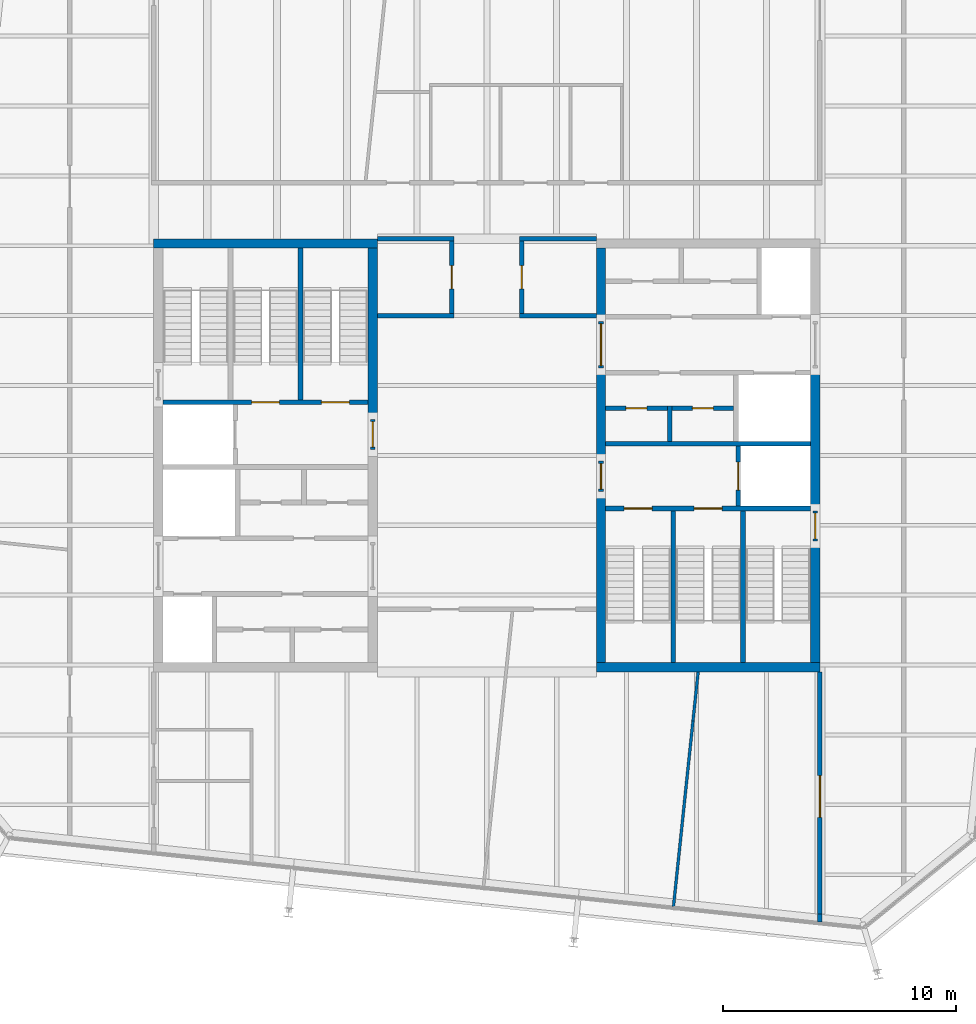
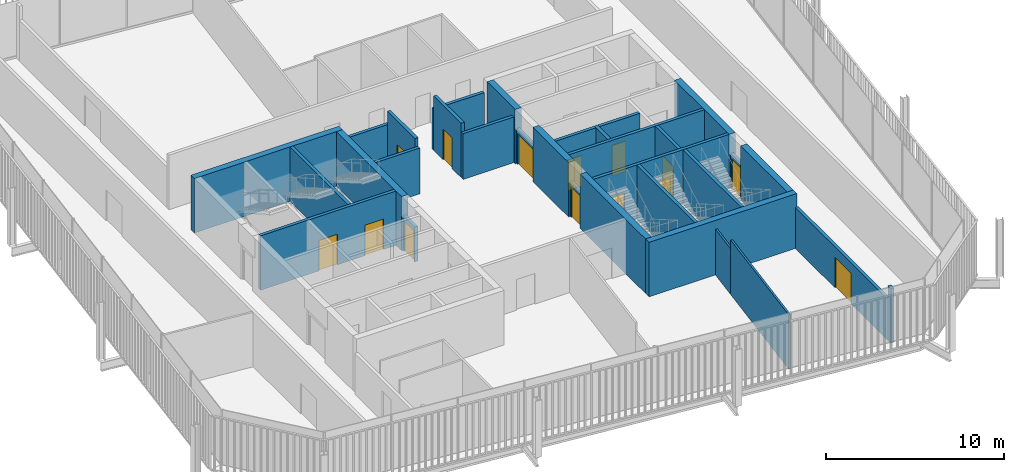
# One storey, part 17 of 20: 31 walls, 14 doors, 14 openings.
"""IFC4 building model written with IfcOpenShell, lengths in metres."""

from ifc_helpers import new_model, si_unit, direction, frame, frame_2d, origin, place, context, subcontext, project, spatial, rectangle, extrude, material, layer, layer_set, type_object, element, fill, save


model = new_model("IFC4")

# Units and contexts
model_context = context("Model", 3, precision=1e-05, world=origin(), true_north=direction((0.0, 1.0)))
body_context = subcontext(model_context, "Body", "Model", "MODEL_VIEW")
ifc_project = project(units=[si_unit("LENGTHUNIT", "METRE"), si_unit("AREAUNIT", "SQUARE_METRE"), si_unit("VOLUMEUNIT", "CUBIC_METRE"), si_unit("PLANEANGLEUNIT", "RADIAN"), si_unit("MASSUNIT", "GRAM", prefix="KILO")], contexts=[model_context])

# Site, building, storey
site_placement = place(None, origin())
site = spatial("IfcSite", under=ifc_project, at=site_placement, CompositionType="ELEMENT")
building_placement = place(site_placement, origin())
building = spatial("IfcBuilding", under=site, at=building_placement, Name="Millrace Tower", CompositionType="ELEMENT")
storey_placement = place(building_placement, frame((0.0, 0.0, 322.60009765625)))
storey = spatial("IfcBuildingStorey", under=building, at=storey_placement, Name="L74", CompositionType="ELEMENT", Elevation=322.60009765625)

# Walls
ifc_material_1 = material(Name="Concrete C60", Category="concrete")
ifc_layer_1 = layer(ifc_material_1, 0.39990234375)
ifc_layer_set_1 = layer_set([ifc_layer_1], Name="Concrete C60")
wall_type_1 = type_object("IfcWallType", Name="Core wall 400 Concrete C60", PredefinedType="SHEAR", material=ifc_layer_set_1)
wall_1_placement = place(storey_placement, frame((-14.300048828125, 9.10009765625, 0.0), z_axis=(0.0, 0.0, 1.0), x_axis=(1.0, 0.0, 0.0)))
element("IfcWall", 1, at=wall_1_placement, inside=storey, type_object=wall_type_1, Name="Core wall W L74", PredefinedType="SHEAR", context=body_context, shape_type="SweptSolid", body=[
    extrude(rectangle(XDim=9.60009765625, YDim=0.39990234375, at=frame_2d((4.800048828125, 0.0))), origin(), (0.0, 0.0, 1.0), 3.739990234375),
])
wall_2_placement = place(storey_placement, frame((-4.89990234375, 1.550048828125, 0.0), z_axis=(0.0, 0.0, 1.0), x_axis=(0.0, 1.0, 0.0)))
element("IfcWall", 2, at=wall_2_placement, inside=storey, type_object=wall_type_1, Name="Core wall W L74", PredefinedType="SHEAR", context=body_context, shape_type="SweptSolid", body=[
    extrude(rectangle(XDim=7.349853515625, YDim=0.39990234375, at=frame_2d((3.6748046875, 0.0))), origin(), (0.0, 0.0, 1.0), 3.739990234375),
])
wall_3_placement = place(storey_placement, frame((14.300048828125, -9.10009765625, 0.0), z_axis=(0.0, 0.0, 1.0), x_axis=(-1.0, 0.0, 0.0)))
element("IfcWall", 3, at=wall_3_placement, inside=storey, type_object=wall_type_1, Name="Core wall E L74", PredefinedType="SHEAR", context=body_context, shape_type="SweptSolid", body=[
    extrude(rectangle(XDim=9.60009765625, YDim=0.39990234375, at=frame_2d((4.800048828125, 0.0))), origin(), (0.0, 0.0, 1.0), 3.739990234375),
])
wall_4_placement = place(storey_placement, frame((14.10009765625, 3.75, 0.0), z_axis=(0.0, 0.0, 1.0), x_axis=(0.0, -1.0, 0.0)))
element("IfcWall", 4, at=wall_4_placement, inside=storey, type_object=wall_type_1, Name="Core wall E L74", PredefinedType="SHEAR", context=body_context, shape_type="SweptSolid", body=[
    extrude(rectangle(XDim=6.1298828125, YDim=0.39990234375, at=frame_2d((3.06494140625, 0.0))), origin(), (0.0, 0.0, 1.0), 3.739990234375),
])
wall_5_placement = place(storey_placement, frame((14.10009765625, -3.679931640625, 0.0), z_axis=(0.0, 0.0, 1.0), x_axis=(0.0, -1.0, 0.0)))
element("IfcWall", 5, at=wall_5_placement, inside=storey, type_object=wall_type_1, Name="Core wall E L74", PredefinedType="SHEAR", context=body_context, shape_type="SweptSolid", body=[
    extrude(rectangle(XDim=5.219970703125, YDim=0.39990234375, at=frame_2d((2.60986328125, 0.0))), origin(), (0.0, 0.0, 1.0), 3.739990234375),
])
wall_6_placement = place(storey_placement, frame((4.89990234375, 8.89990234375, 0.0), z_axis=(0.0, 0.0, 1.0), x_axis=(0.0, -1.0, 0.0)))
element("IfcWall", 6, at=wall_6_placement, inside=storey, type_object=wall_type_1, Name="Core wall E L74", PredefinedType="SHEAR", context=body_context, shape_type="SweptSolid", body=[
    extrude(rectangle(XDim=3.14990234375, YDim=0.39990234375, at=frame_2d((1.574951171875, 0.0))), origin(), (0.0, 0.0, 1.0), 3.739990234375),
])
wall_7_placement = place(storey_placement, frame((4.89990234375, 3.75, 0.0), z_axis=(0.0, 0.0, 1.0), x_axis=(0.0, -1.0, 0.0)))
element("IfcWall", 7, at=wall_7_placement, inside=storey, type_object=wall_type_1, Name="Core wall E L74", PredefinedType="SHEAR", context=body_context, shape_type="SweptSolid", body=[
    extrude(rectangle(XDim=4.0, YDim=0.39990234375, at=frame_2d((2.0, 0.0))), origin(), (0.0, 0.0, 1.0), 3.739990234375),
])
wall_8_placement = place(storey_placement, frame((4.89990234375, -1.550048828125, 0.0), z_axis=(0.0, 0.0, 1.0), x_axis=(0.0, -1.0, 0.0)))
element("IfcWall", 8, at=wall_8_placement, inside=storey, type_object=wall_type_1, Name="Core wall E L74", PredefinedType="SHEAR", context=body_context, shape_type="SweptSolid", body=[
    extrude(rectangle(XDim=7.349853515625, YDim=0.39990234375, at=frame_2d((3.6748046875, 0.0))), origin(), (0.0, 0.0, 1.0), 3.739990234375),
])
ifc_material_2 = material(Name="Masonry partition, fire-rated", Category="masonry")
ifc_layer_2 = layer(ifc_material_2, 0.199951171875)
ifc_layer_set_2 = layer_set([ifc_layer_2], Name="Masonry partition, fire-rated")
wall_type_2 = type_object("IfcWallType", Name="Corridor wall 200", PredefinedType="PARTITIONING", material=ifc_layer_set_2)
for number, where, z_axis, x_axis, name in (
    (9, (-4.699951171875, 6.0, 0.0), (0.0, 0.0, 1.0), (1.0, 0.0, 0.0), "Corridor wall L74"),
    (10, (1.39990234375, 6.0, 0.0), (0.0, 0.0, 1.0), (1.0, 0.0, 0.0), "Corridor wall L74"),
):
    element("IfcWall", number, at=place(storey_placement, frame(where, z_axis=z_axis, x_axis=x_axis)), inside=storey, type_object=wall_type_2, Name=name, PredefinedType="PARTITIONING", context=body_context, shape_type="SweptSolid", body=[
        extrude(rectangle(XDim=3.300048828125, YDim=0.199951171875, at=frame_2d((1.64990234375, 0.0))), origin(), (0.0, 0.0, 1.0), 3.140380859375),
    ])
for number, where, z_axis, x_axis, name in (
    (11, (-4.699951171875, 9.300048828125, 0.0), (0.0, 0.0, 1.0), (1.0, 0.0, 0.0), "Corridor wall L74"),
    (12, (1.39990234375, 9.300048828125, 0.0), (0.0, 0.0, 1.0), (1.0, 0.0, 0.0), "Corridor wall L74"),
):
    element("IfcWall", number, at=place(storey_placement, frame(where, z_axis=z_axis, x_axis=x_axis)), inside=storey, type_object=wall_type_2, Name=name, PredefinedType="PARTITIONING", context=body_context, shape_type="SweptSolid", body=[
        extrude(rectangle(XDim=3.300048828125, YDim=0.199951171875, at=frame_2d((1.64990234375, 0.0))), origin(), (0.0, 0.0, 1.0), 2.812744140625),
    ])
wall_9_placement = place(storey_placement, frame((14.300048828125, -20.037353515625, 0.0), z_axis=(0.0, 0.0, 1.0), x_axis=(0.0, 1.0, 0.0)))
element("IfcWall", 13, at=wall_9_placement, inside=storey, type_object=wall_type_2, Name="Corridor wall L74", PredefinedType="PARTITIONING", context=body_context, shape_type="SweptSolid", body=[
    extrude(rectangle(XDim=0.339111328125, YDim=0.199951171875, at=frame_2d((0.16943359375, 0.0))), origin(), (0.0, 0.0, 1.0), 3.739990234375),
])

# Wall, opening, door
wall_10_placement = place(storey_placement, frame((14.300048828125, -19.6982421875, 0.0), z_axis=(0.0, 0.0, 1.0), x_axis=(0.0, 1.0, 0.0)))
wall_10 = element("IfcWall", 14, at=wall_10_placement, inside=storey, type_object=wall_type_2, Name="Corridor wall L74", PredefinedType="PARTITIONING", context=body_context, shape_type="SweptSolid", body=[
    extrude(rectangle(XDim=10.398193359375, YDim=0.199951171875, at=frame_2d((5.19921875, 0.0))), origin(), (0.0, 0.0, 1.0), 2.812744140625),
])
opening_1_placement = place(wall_10_placement, frame((4.15478515625, 0.0, 0.0)))
opening_1 = element("IfcOpeningElement", 15, at=opening_1_placement, cuts=wall_10, Name="Opening 74-P013", PredefinedType="OPENING", context=body_context, shape_type="SweptSolid", body=[
    extrude(rectangle(XDim=1.800048828125, YDim=2.10009765625, at=frame_2d((0.89990234375, 1.050048828125))), frame((0.0, 0.10986328125, 0.0), z_axis=(0.0, -1.0, 0.0), x_axis=(1.0, 0.0, 0.0)), (0.0, 0.0, 1.0), 0.219970703125),
])
ifc_material_3 = material(Name="Steel door set, fire-rated", Category="steel")
door_type_1 = type_object("IfcDoorType", Name="Corridor door 1800 x 2100", OperationType="DOUBLE_DOOR_SINGLE_SWING", PredefinedType="DOOR", material=ifc_material_3)
door_1_placement = place(opening_1_placement, origin())
door_1 = element("IfcDoor", 16, at=door_1_placement, inside=storey, type_object=door_type_1, Name="Door 74-P013", OperationType="DOUBLE_DOOR_SINGLE_SWING", OverallHeight=2.10009765625, OverallWidth=1.800048828125, PredefinedType="DOOR", context=body_context, shape_type="SweptSolid", body=[
    extrude(rectangle(XDim=1.800048828125, YDim=2.10009765625, at=frame_2d((0.89990234375, 1.050048828125))), frame((0.0, 0.02490234375, 0.0), z_axis=(0.0, -1.0, 0.0), x_axis=(1.0, 0.0, 0.0)), (0.0, 0.0, 1.0), 0.050048828125),
])
fill(opening_1, door_1)

wall_11_placement = place(storey_placement, frame((1.5, 6.10009765625, 0.0), z_axis=(0.0, 0.0, 1.0), x_axis=(0.0, 1.0, 0.0)))
wall_11 = element("IfcWall", 17, at=wall_11_placement, inside=storey, type_object=wall_type_2, Name="Corridor wall L74", PredefinedType="PARTITIONING", context=body_context, shape_type="SweptSolid", body=[
    extrude(rectangle(XDim=3.099853515625, YDim=0.199951171875, at=frame_2d((1.5498046875, 0.0))), origin(), (0.0, 0.0, 1.0), 3.739990234375),
])
opening_2_placement = place(wall_11_placement, frame((1.050048828125, 0.0, 0.0)))
opening_2 = element("IfcOpeningElement", 18, at=opening_2_placement, cuts=wall_11, Name="Opening 74-P002", PredefinedType="OPENING", context=body_context, shape_type="SweptSolid", body=[
    extrude(rectangle(XDim=1.0, YDim=2.10009765625, at=frame_2d((0.5, 1.050048828125))), frame((0.0, 0.10986328125, 0.0), z_axis=(0.0, -1.0, 0.0), x_axis=(1.0, 0.0, 0.0)), (0.0, 0.0, 1.0), 0.219970703125),
])
ifc_material_4 = material(Name="Steel door set, fire-rated", Category="steel")
door_type_2 = type_object("IfcDoorType", Name="Corridor door 1000 x 2100", OperationType="SINGLE_SWING_LEFT", PredefinedType="DOOR", material=ifc_material_4)
door_2_placement = place(opening_2_placement, frame((1.0, 0.0, 0.0), z_axis=(0.0, 0.0, 1.0), x_axis=(-1.0, 0.0, 0.0)))
door_2 = element("IfcDoor", 19, at=door_2_placement, inside=storey, type_object=door_type_2, Name="Door 74-P002", OperationType="SINGLE_SWING_LEFT", OverallHeight=2.10009765625, OverallWidth=1.0, PredefinedType="DOOR", context=body_context, shape_type="SweptSolid", body=[
    extrude(rectangle(XDim=1.0, YDim=2.10009765625, at=frame_2d((0.5, 1.050048828125))), frame((0.0, 0.02490234375, 0.0), z_axis=(0.0, -1.0, 0.0), x_axis=(1.0, 0.0, 0.0)), (0.0, 0.0, 1.0), 0.050048828125),
])
fill(opening_2, door_2)

wall_12_placement = place(storey_placement, frame((-1.5, 6.10009765625, 0.0), z_axis=(0.0, 0.0, 1.0), x_axis=(0.0, 1.0, 0.0)))
wall_12 = element("IfcWall", 20, at=wall_12_placement, inside=storey, type_object=wall_type_2, Name="Corridor wall L74", PredefinedType="PARTITIONING", context=body_context, shape_type="SweptSolid", body=[
    extrude(rectangle(XDim=3.099853515625, YDim=0.199951171875, at=frame_2d((1.5498046875, 0.0))), origin(), (0.0, 0.0, 1.0), 3.739990234375),
])
opening_3_placement = place(wall_12_placement, frame((1.050048828125, 0.0, 0.0)))
opening_3 = element("IfcOpeningElement", 21, at=opening_3_placement, cuts=wall_12, Name="Opening 74-P001", PredefinedType="OPENING", context=body_context, shape_type="SweptSolid", body=[
    extrude(rectangle(XDim=1.0, YDim=2.10009765625, at=frame_2d((0.5, 1.050048828125))), frame((0.0, 0.10986328125, 0.0), z_axis=(0.0, -1.0, 0.0), x_axis=(1.0, 0.0, 0.0)), (0.0, 0.0, 1.0), 0.219970703125),
])
door_3_placement = place(opening_3_placement, origin())
door_3 = element("IfcDoor", 22, at=door_3_placement, inside=storey, type_object=door_type_2, Name="Door 74-P001", OperationType="SINGLE_SWING_RIGHT", OverallHeight=2.10009765625, OverallWidth=1.0, PredefinedType="DOOR", context=body_context, shape_type="SweptSolid", body=[
    extrude(rectangle(XDim=1.0, YDim=2.10009765625, at=frame_2d((0.5, 1.050048828125))), frame((0.0, 0.02490234375, 0.0), z_axis=(0.0, -1.0, 0.0), x_axis=(1.0, 0.0, 0.0)), (0.0, 0.0, 1.0), 0.050048828125),
])
fill(opening_3, door_3)

# Wall
ifc_material_5 = material(Name="Masonry partition, fire-rated", Category="masonry")
ifc_layer_3 = layer(ifc_material_5, 0.199951171875)
ifc_layer_set_3 = layer_set([ifc_layer_3], Name="Masonry partition, fire-rated")
wall_type_3 = type_object("IfcWallType", Name="Lift shaft wall 200", PredefinedType="PARTITIONING", material=ifc_layer_set_3)
wall_13_placement = place(storey_placement, frame((13.89990234375, 0.5, 0.0), z_axis=(0.0, 0.0, 1.0), x_axis=(-1.0, 0.0, 0.0)))
element("IfcWall", 23, at=wall_13_placement, inside=storey, type_object=wall_type_3, Name="Lift shaft wall E L74", PredefinedType="PARTITIONING", context=body_context, shape_type="SweptSolid", body=[
    extrude(rectangle(XDim=8.7998046875, YDim=0.199951171875, at=frame_2d((4.39990234375, 0.0))), origin(), (0.0, 0.0, 1.0), 3.739990234375),
])

# Wall, opening, door
wall_14_placement = place(storey_placement, frame((10.800048828125, 0.39990234375, 0.0), z_axis=(0.0, 0.0, 1.0), x_axis=(0.0, -1.0, 0.0)))
wall_14 = element("IfcWall", 24, at=wall_14_placement, inside=storey, type_object=wall_type_3, Name="Lift shaft wall E L74", PredefinedType="PARTITIONING", context=body_context, shape_type="SweptSolid", body=[
    extrude(rectangle(XDim=2.579833984375, YDim=0.199951171875, at=frame_2d((1.2900390625, 0.0))), origin(), (0.0, 0.0, 1.0), 3.739990234375),
])
opening_4_placement = place(wall_14_placement, frame((0.68994140625, 0.0, 0.0)))
opening_4 = element("IfcOpeningElement", 25, at=opening_4_placement, cuts=wall_14, Name="Opening 74-LD16", PredefinedType="OPENING", context=body_context, shape_type="SweptSolid", body=[
    extrude(rectangle(XDim=1.199951171875, YDim=2.10009765625, at=frame_2d((0.60009765625, 1.050048828125))), frame((0.0, 0.10986328125, 0.0), z_axis=(0.0, -1.0, 0.0), x_axis=(1.0, 0.0, 0.0)), (0.0, 0.0, 1.0), 0.219970703125),
])
ifc_material_6 = material(Name="Stainless steel, fire-rated", Category="steel")
door_type_3 = type_object("IfcDoorType", Name="Lift landing door 1200 x 2100", OperationType="DOUBLE_DOOR_SLIDING", PredefinedType="DOOR", material=ifc_material_6)
door_4_placement = place(opening_4_placement, origin())
door_4 = element("IfcDoor", 26, at=door_4_placement, inside=storey, type_object=door_type_3, Name="Lift landing door LF16 L74", OperationType="DOUBLE_DOOR_SLIDING", OverallHeight=2.10009765625, OverallWidth=1.199951171875, PredefinedType="DOOR", context=body_context, shape_type="SweptSolid", body=[
    extrude(rectangle(XDim=1.199951171875, YDim=2.10009765625, at=frame_2d((0.60009765625, 1.050048828125))), frame((0.0, 0.02490234375, 0.0), z_axis=(0.0, -1.0, 0.0), x_axis=(1.0, 0.0, 0.0)), (0.0, 0.0, 1.0), 0.050048828125),
])
fill(opening_4, door_4)

ifc_material_7 = material(Name="Masonry partition, fire-rated", Category="masonry")
ifc_layer_4 = layer(ifc_material_7, 0.199951171875)
ifc_layer_set_4 = layer_set([ifc_layer_4], Name="Masonry partition, fire-rated")
wall_type_4 = type_object("IfcWallType", Name="Lobby wall 200", PredefinedType="PARTITIONING", material=ifc_layer_set_4)
wall_15_placement = place(storey_placement, frame((-4.89990234375, 0.25, 0.0), z_axis=(0.0, 0.0, 1.0), x_axis=(0.0, 1.0, 0.0)))
wall_15 = element("IfcWall", 27, at=wall_15_placement, inside=storey, type_object=wall_type_4, Name="Lobby wall W L74", PredefinedType="PARTITIONING", context=body_context, shape_type="SweptSolid", body=[
    extrude(rectangle(XDim=1.300048828125, YDim=0.199951171875, at=frame_2d((0.64990234375, 0.0))), origin(), (0.0, 0.0, 1.0), 2.39990234375),
])
opening_5_placement = place(wall_15_placement, frame((0.10009765625, 0.0, 0.0)))
opening_5 = element("IfcOpeningElement", 28, at=opening_5_placement, cuts=wall_15, Name="Opening 74-C004", PredefinedType="OPENING", context=body_context, shape_type="SweptSolid", body=[
    extrude(rectangle(XDim=1.10009765625, YDim=2.10009765625, at=frame_2d((0.550048828125, 1.050048828125))), frame((0.0, 0.10986328125, 0.0), z_axis=(0.0, -1.0, 0.0), x_axis=(1.0, 0.0, 0.0)), (0.0, 0.0, 1.0), 0.219970703125),
])
ifc_material_8 = material(Name="Steel door, fire-rated", Category="steel")
door_type_4 = type_object("IfcDoorType", Name="Lobby door 1100 x 2100", OperationType="SINGLE_SWING_LEFT", PredefinedType="DOOR", material=ifc_material_8)
door_5_placement = place(opening_5_placement, frame((1.10009765625, 0.0, 0.0), z_axis=(0.0, 0.0, 1.0), x_axis=(-1.0, 0.0, 0.0)))
door_5 = element("IfcDoor", 29, at=door_5_placement, inside=storey, type_object=door_type_4, Name="Lobby door 74-C004", OperationType="SINGLE_SWING_RIGHT", OverallHeight=2.10009765625, OverallWidth=1.10009765625, PredefinedType="DOOR", context=body_context, shape_type="SweptSolid", body=[
    extrude(rectangle(XDim=1.10009765625, YDim=2.10009765625, at=frame_2d((0.550048828125, 1.050048828125))), frame((0.0, 0.02490234375, 0.0), z_axis=(0.0, -1.0, 0.0), x_axis=(1.0, 0.0, 0.0)), (0.0, 0.0, 1.0), 0.050048828125),
])
fill(opening_5, door_5)

wall_16_placement = place(storey_placement, frame((4.89990234375, 5.75, 0.0), z_axis=(0.0, 0.0, 1.0), x_axis=(0.0, -1.0, 0.0)))
wall_16 = element("IfcWall", 30, at=wall_16_placement, inside=storey, type_object=wall_type_4, Name="Lobby wall E L74", PredefinedType="PARTITIONING", context=body_context, shape_type="SweptSolid", body=[
    extrude(rectangle(XDim=2.0, YDim=0.199951171875, at=frame_2d((1.0, 0.0))), origin(), (0.0, 0.0, 1.0), 2.39990234375),
])
opening_6_placement = place(wall_16_placement, frame((0.10009765625, 0.0, 0.0)))
opening_6 = element("IfcOpeningElement", 31, at=opening_6_placement, cuts=wall_16, Name="Opening 74-C015", PredefinedType="OPENING", context=body_context, shape_type="SweptSolid", body=[
    extrude(rectangle(XDim=1.800048828125, YDim=2.10009765625, at=frame_2d((0.89990234375, 1.050048828125))), frame((0.0, 0.10986328125, 0.0), z_axis=(0.0, -1.0, 0.0), x_axis=(1.0, 0.0, 0.0)), (0.0, 0.0, 1.0), 0.219970703125),
])
ifc_material_9 = material(Name="Steel door, fire-rated", Category="steel")
door_type_5 = type_object("IfcDoorType", Name="Lobby door 1800 x 2100", OperationType="DOUBLE_DOOR_SINGLE_SWING", PredefinedType="DOOR", material=ifc_material_9)
door_6_placement = place(opening_6_placement, frame((1.800048828125, 0.0, 0.0), z_axis=(0.0, 0.0, 1.0), x_axis=(-1.0, 0.0, 0.0)))
door_6 = element("IfcDoor", 32, at=door_6_placement, inside=storey, type_object=door_type_5, Name="Lobby door 74-C015", OperationType="DOUBLE_DOOR_SINGLE_SWING", OverallHeight=2.10009765625, OverallWidth=1.800048828125, PredefinedType="DOOR", context=body_context, shape_type="SweptSolid", body=[
    extrude(rectangle(XDim=1.800048828125, YDim=2.10009765625, at=frame_2d((0.89990234375, 1.050048828125))), frame((0.0, 0.02490234375, 0.0), z_axis=(0.0, -1.0, 0.0), x_axis=(1.0, 0.0, 0.0)), (0.0, 0.0, 1.0), 0.050048828125),
])
fill(opening_6, door_6)

wall_17_placement = place(storey_placement, frame((4.89990234375, -0.25, 0.0), z_axis=(0.0, 0.0, 1.0), x_axis=(0.0, -1.0, 0.0)))
wall_17 = element("IfcWall", 33, at=wall_17_placement, inside=storey, type_object=wall_type_4, Name="Lobby wall E L74", PredefinedType="PARTITIONING", context=body_context, shape_type="SweptSolid", body=[
    extrude(rectangle(XDim=1.300048828125, YDim=0.199951171875, at=frame_2d((0.64990234375, 0.0))), origin(), (0.0, 0.0, 1.0), 2.39990234375),
])
opening_7_placement = place(wall_17_placement, frame((0.10009765625, 0.0, 0.0)))
opening_7 = element("IfcOpeningElement", 34, at=opening_7_placement, cuts=wall_17, Name="Opening 74-C016", PredefinedType="OPENING", context=body_context, shape_type="SweptSolid", body=[
    extrude(rectangle(XDim=1.10009765625, YDim=2.10009765625, at=frame_2d((0.550048828125, 1.050048828125))), frame((0.0, 0.10986328125, 0.0), z_axis=(0.0, -1.0, 0.0), x_axis=(1.0, 0.0, 0.0)), (0.0, 0.0, 1.0), 0.219970703125),
])
door_7_placement = place(opening_7_placement, frame((1.10009765625, 0.0, 0.0), z_axis=(0.0, 0.0, 1.0), x_axis=(-1.0, 0.0, 0.0)))
door_7 = element("IfcDoor", 35, at=door_7_placement, inside=storey, type_object=door_type_4, Name="Lobby door 74-C016", OperationType="SINGLE_SWING_LEFT", OverallHeight=2.10009765625, OverallWidth=1.10009765625, PredefinedType="DOOR", context=body_context, shape_type="SweptSolid", body=[
    extrude(rectangle(XDim=1.10009765625, YDim=2.10009765625, at=frame_2d((0.550048828125, 1.050048828125))), frame((0.0, 0.02490234375, 0.0), z_axis=(0.0, -1.0, 0.0), x_axis=(1.0, 0.0, 0.0)), (0.0, 0.0, 1.0), 0.050048828125),
])
fill(opening_7, door_7)

# Walls
ifc_material_10 = material(Name="Gypsum board partition")
ifc_layer_5 = layer(ifc_material_10, 0.1201171875)
ifc_layer_set_5 = layer_set([ifc_layer_5], Name="Gypsum board partition")
wall_type_5 = type_object("IfcWallType", Name="Partition wall 120", PredefinedType="PARTITIONING", material=ifc_layer_set_5)
wall_18_placement = place(storey_placement, frame((8.0126953125, -19.376708984375, 0.0), z_axis=(0.0, 0.0, 1.0), x_axis=(0.104553276341, 0.994519287096, 0.0)))
element("IfcWall", 36, at=wall_18_placement, inside=storey, type_object=wall_type_5, Name="Partition wall L74", PredefinedType="PARTITIONING", context=body_context, shape_type="SweptSolid", body=[
    extrude(rectangle(XDim=8.02099609375, YDim=0.1201171875, at=frame_2d((4.010498046875, 0.0))), origin(), (0.0, 0.0, 1.0), 3.739990234375),
])
wall_19_placement = place(storey_placement, frame((8.851318359375, -11.399658203125, 0.0), z_axis=(0.0, 0.0, 1.0), x_axis=(0.1045403102, 0.994520650134, 0.0)))
element("IfcWall", 37, at=wall_19_placement, inside=storey, type_object=wall_type_5, Name="Partition wall L74", PredefinedType="PARTITIONING", context=body_context, shape_type="SweptSolid", body=[
    extrude(rectangle(XDim=2.111083984375, YDim=0.1201171875, at=frame_2d((1.0556640625, 0.0))), origin(), (0.0, 0.0, 1.0), 3.140380859375),
])

# Wall, openings, doors
ifc_material_11 = material(Name="Masonry partition, fire-rated", Category="masonry")
ifc_layer_6 = layer(ifc_material_11, 0.199951171875)
ifc_layer_set_6 = layer_set([ifc_layer_6], Name="Masonry partition, fire-rated")
wall_type_6 = type_object("IfcWallType", Name="Room partition 200", PredefinedType="PARTITIONING", material=ifc_layer_set_6)
wall_20_placement = place(storey_placement, frame((10.60009765625, 2.02490234375, 0.0), z_axis=(0.0, 0.0, 1.0), x_axis=(-1.0, 0.0, 0.0)))
wall_20 = element("IfcWall", 38, at=wall_20_placement, inside=storey, type_object=wall_type_6, Name="Room partition E L74", PredefinedType="PARTITIONING", context=body_context, shape_type="SweptSolid", body=[
    extrude(rectangle(XDim=5.5, YDim=0.199951171875, at=frame_2d((2.75, 0.0))), origin(), (0.0, 0.0, 1.0), 3.739990234375),
])
opening_8_placement = place(wall_20_placement, frame((0.875, 0.0, 0.0)))
opening_8 = element("IfcOpeningElement", 39, at=opening_8_placement, cuts=wall_20, Name="Opening 74-C021", PredefinedType="OPENING", context=body_context, shape_type="SweptSolid", body=[
    extrude(rectangle(XDim=0.89990234375, YDim=2.10009765625, at=frame_2d((0.449951171875, 1.050048828125))), frame((0.0, 0.10986328125, 0.0), z_axis=(0.0, -1.0, 0.0), x_axis=(1.0, 0.0, 0.0)), (0.0, 0.0, 1.0), 0.219970703125),
])
opening_9_placement = place(wall_20_placement, frame((3.72509765625, 0.0, 0.0)))
opening_9 = element("IfcOpeningElement", 40, at=opening_9_placement, cuts=wall_20, Name="Opening 74-C022", PredefinedType="OPENING", context=body_context, shape_type="SweptSolid", body=[
    extrude(rectangle(XDim=0.89990234375, YDim=2.10009765625, at=frame_2d((0.449951171875, 1.050048828125))), frame((0.0, 0.10986328125, 0.0), z_axis=(0.0, -1.0, 0.0), x_axis=(1.0, 0.0, 0.0)), (0.0, 0.0, 1.0), 0.219970703125),
])
ifc_material_12 = material(Name="Steel door, fire-rated", Category="steel")
door_type_6 = type_object("IfcDoorType", Name="Service room door 900 x 2100", OperationType="SINGLE_SWING_LEFT", PredefinedType="DOOR", material=ifc_material_12)
door_8_placement = place(opening_8_placement, origin())
door_8 = element("IfcDoor", 41, at=door_8_placement, inside=storey, type_object=door_type_6, Name="Service room door 74-C021", OperationType="SINGLE_SWING_LEFT", OverallHeight=2.10009765625, OverallWidth=0.89990234375, PredefinedType="DOOR", context=body_context, shape_type="SweptSolid", body=[
    extrude(rectangle(XDim=0.89990234375, YDim=2.10009765625, at=frame_2d((0.449951171875, 1.050048828125))), frame((0.0, 0.02490234375, 0.0), z_axis=(0.0, -1.0, 0.0), x_axis=(1.0, 0.0, 0.0)), (0.0, 0.0, 1.0), 0.050048828125),
])
fill(opening_8, door_8)
door_9_placement = place(opening_9_placement, origin())
door_9 = element("IfcDoor", 42, at=door_9_placement, inside=storey, type_object=door_type_6, Name="Service room door 74-C022", OperationType="SINGLE_SWING_RIGHT", OverallHeight=2.10009765625, OverallWidth=0.89990234375, PredefinedType="DOOR", context=body_context, shape_type="SweptSolid", body=[
    extrude(rectangle(XDim=0.89990234375, YDim=2.10009765625, at=frame_2d((0.449951171875, 1.050048828125))), frame((0.0, 0.02490234375, 0.0), z_axis=(0.0, -1.0, 0.0), x_axis=(1.0, 0.0, 0.0)), (0.0, 0.0, 1.0), 0.050048828125),
])
fill(opening_9, door_9)

# Wall
wall_21_placement = place(storey_placement, frame((7.85009765625, 2.125, 0.0), z_axis=(0.0, 0.0, 1.0), x_axis=(0.0, -1.0, 0.0)))
element("IfcWall", 43, at=wall_21_placement, inside=storey, type_object=wall_type_6, Name="Room partition E L74", PredefinedType="PARTITIONING", context=body_context, shape_type="SweptSolid", body=[
    extrude(rectangle(XDim=1.52490234375, YDim=0.199951171875, at=frame_2d((0.762451171875, 0.0))), origin(), (0.0, 0.0, 1.0), 3.739990234375),
])

# Wall, openings, doors
ifc_material_13 = material(Name="Concrete C40", Category="concrete")
ifc_layer_7 = layer(ifc_material_13, 0.199951171875)
ifc_layer_set_7 = layer_set([ifc_layer_7], Name="Concrete C40")
wall_type_7 = type_object("IfcWallType", Name="Stair enclosure wall 200 Concrete C40", PredefinedType="SHEAR", material=ifc_layer_set_7)
wall_22_placement = place(storey_placement, frame((-13.89990234375, 2.280029296875, 0.0), z_axis=(0.0, 0.0, 1.0), x_axis=(1.0, 0.0, 0.0)))
wall_22 = element("IfcWall", 44, at=wall_22_placement, inside=storey, type_object=wall_type_7, Name="Stair enclosure wall W L74", PredefinedType="SHEAR", context=body_context, shape_type="SweptSolid", body=[
    extrude(rectangle(XDim=8.7998046875, YDim=0.199951171875, at=frame_2d((4.39990234375, 0.0))), origin(), (0.0, 0.0, 1.0), 3.739990234375),
])
opening_10_placement = place(wall_22_placement, frame((3.800048828125, 0.0, 0.0)))
opening_10 = element("IfcOpeningElement", 45, at=opening_10_placement, cuts=wall_22, Name="Opening 74-C011", PredefinedType="OPENING", context=body_context, shape_type="SweptSolid", body=[
    extrude(rectangle(XDim=1.199951171875, YDim=2.10009765625, at=frame_2d((0.60009765625, 1.050048828125))), frame((0.0, 0.10986328125, 0.0), z_axis=(0.0, -1.0, 0.0), x_axis=(1.0, 0.0, 0.0)), (0.0, 0.0, 1.0), 0.219970703125),
])
opening_11_placement = place(wall_22_placement, frame((6.800048828125, 0.0, 0.0)))
opening_11 = element("IfcOpeningElement", 46, at=opening_11_placement, cuts=wall_22, Name="Opening 74-C012", PredefinedType="OPENING", context=body_context, shape_type="SweptSolid", body=[
    extrude(rectangle(XDim=1.199951171875, YDim=2.10009765625, at=frame_2d((0.60009765625, 1.050048828125))), frame((0.0, 0.10986328125, 0.0), z_axis=(0.0, -1.0, 0.0), x_axis=(1.0, 0.0, 0.0)), (0.0, 0.0, 1.0), 0.219970703125),
])
ifc_material_14 = material(Name="Steel door, fire-rated", Category="steel")
door_type_7 = type_object("IfcDoorType", Name="Stair door 1200 x 2100", OperationType="SINGLE_SWING_LEFT", PredefinedType="DOOR", material=ifc_material_14)
door_10_placement = place(opening_10_placement, frame((1.199951171875, 0.0, 0.0), z_axis=(0.0, 0.0, 1.0), x_axis=(-1.0, 0.0, 0.0)))
door_10 = element("IfcDoor", 47, at=door_10_placement, inside=storey, type_object=door_type_7, Name="Stair door 74-C011", OperationType="SINGLE_SWING_RIGHT", OverallHeight=2.10009765625, OverallWidth=1.199951171875, PredefinedType="DOOR", context=body_context, shape_type="SweptSolid", body=[
    extrude(rectangle(XDim=1.199951171875, YDim=2.10009765625, at=frame_2d((0.60009765625, 1.050048828125))), frame((0.0, 0.02490234375, 0.0), z_axis=(0.0, -1.0, 0.0), x_axis=(1.0, 0.0, 0.0)), (0.0, 0.0, 1.0), 0.050048828125),
])
fill(opening_10, door_10)
door_11_placement = place(opening_11_placement, frame((1.199951171875, 0.0, 0.0), z_axis=(0.0, 0.0, 1.0), x_axis=(-1.0, 0.0, 0.0)))
door_11 = element("IfcDoor", 48, at=door_11_placement, inside=storey, type_object=door_type_7, Name="Stair door 74-C012", OperationType="SINGLE_SWING_LEFT", OverallHeight=2.10009765625, OverallWidth=1.199951171875, PredefinedType="DOOR", context=body_context, shape_type="SweptSolid", body=[
    extrude(rectangle(XDim=1.199951171875, YDim=2.10009765625, at=frame_2d((0.60009765625, 1.050048828125))), frame((0.0, 0.02490234375, 0.0), z_axis=(0.0, -1.0, 0.0), x_axis=(1.0, 0.0, 0.0)), (0.0, 0.0, 1.0), 0.050048828125),
])
fill(opening_11, door_11)

# Wall
wall_23_placement = place(storey_placement, frame((-8.0, 2.3798828125, 0.0), z_axis=(0.0, 0.0, 1.0), x_axis=(0.0, 1.0, 0.0)))
element("IfcWall", 49, at=wall_23_placement, inside=storey, type_object=wall_type_7, Name="Stair enclosure wall W L74", PredefinedType="SHEAR", context=body_context, shape_type="SweptSolid", body=[
    extrude(rectangle(XDim=6.52001953125, YDim=0.199951171875, at=frame_2d((3.260009765625, 0.0))), origin(), (0.0, 0.0, 1.0), 3.739990234375),
])

# Wall, opening, door
wall_24_placement = place(storey_placement, frame((14.10009765625, -2.3798828125, 0.0), z_axis=(0.0, 0.0, 1.0), x_axis=(0.0, -1.0, 0.0)))
wall_24 = element("IfcWall", 50, at=wall_24_placement, inside=storey, type_object=wall_type_7, Name="Stair enclosure wall E L74", PredefinedType="SHEAR", context=body_context, shape_type="SweptSolid", body=[
    extrude(rectangle(XDim=1.300048828125, YDim=0.199951171875, at=frame_2d((0.64990234375, 0.0))), origin(), (0.0, 0.0, 1.0), 2.39990234375),
])
opening_12_placement = place(wall_24_placement, frame((0.10009765625, 0.0, 0.0)))
opening_12 = element("IfcOpeningElement", 51, at=opening_12_placement, cuts=wall_24, Name="Opening 74-C014", PredefinedType="OPENING", context=body_context, shape_type="SweptSolid", body=[
    extrude(rectangle(XDim=1.10009765625, YDim=2.10009765625, at=frame_2d((0.550048828125, 1.050048828125))), frame((0.0, 0.10986328125, 0.0), z_axis=(0.0, -1.0, 0.0), x_axis=(1.0, 0.0, 0.0)), (0.0, 0.0, 1.0), 0.219970703125),
])
ifc_material_15 = material(Name="Steel door, fire-rated", Category="steel")
door_type_8 = type_object("IfcDoorType", Name="Stair door 1100 x 2100", OperationType="SINGLE_SWING_LEFT", PredefinedType="DOOR", material=ifc_material_15)
door_12_placement = place(opening_12_placement, origin())
door_12 = element("IfcDoor", 52, at=door_12_placement, inside=storey, type_object=door_type_8, Name="Stair door 74-C014", OperationType="SINGLE_SWING_LEFT", OverallHeight=2.10009765625, OverallWidth=1.10009765625, PredefinedType="DOOR", context=body_context, shape_type="SweptSolid", body=[
    extrude(rectangle(XDim=1.10009765625, YDim=2.10009765625, at=frame_2d((0.550048828125, 1.050048828125))), frame((0.0, 0.02490234375, 0.0), z_axis=(0.0, -1.0, 0.0), x_axis=(1.0, 0.0, 0.0)), (0.0, 0.0, 1.0), 0.050048828125),
])
fill(opening_12, door_12)

# Wall, openings, doors
wall_25_placement = place(storey_placement, frame((13.89990234375, -2.280029296875, 0.0), z_axis=(0.0, 0.0, 1.0), x_axis=(-1.0, 0.0, 0.0)))
wall_25 = element("IfcWall", 53, at=wall_25_placement, inside=storey, type_object=wall_type_7, Name="Stair enclosure wall E L74", PredefinedType="SHEAR", context=body_context, shape_type="SweptSolid", body=[
    extrude(rectangle(XDim=8.7998046875, YDim=0.199951171875, at=frame_2d((4.39990234375, 0.0))), origin(), (0.0, 0.0, 1.0), 3.739990234375),
])
opening_13_placement = place(wall_25_placement, frame((3.800048828125, 0.0, 0.0)))
opening_13 = element("IfcOpeningElement", 54, at=opening_13_placement, cuts=wall_25, Name="Opening 74-C023", PredefinedType="OPENING", context=body_context, shape_type="SweptSolid", body=[
    extrude(rectangle(XDim=1.199951171875, YDim=2.10009765625, at=frame_2d((0.60009765625, 1.050048828125))), frame((0.0, 0.10986328125, 0.0), z_axis=(0.0, -1.0, 0.0), x_axis=(1.0, 0.0, 0.0)), (0.0, 0.0, 1.0), 0.219970703125),
])
opening_14_placement = place(wall_25_placement, frame((6.800048828125, 0.0, 0.0)))
opening_14 = element("IfcOpeningElement", 55, at=opening_14_placement, cuts=wall_25, Name="Opening 74-C024", PredefinedType="OPENING", context=body_context, shape_type="SweptSolid", body=[
    extrude(rectangle(XDim=1.199951171875, YDim=2.10009765625, at=frame_2d((0.60009765625, 1.050048828125))), frame((0.0, 0.10986328125, 0.0), z_axis=(0.0, -1.0, 0.0), x_axis=(1.0, 0.0, 0.0)), (0.0, 0.0, 1.0), 0.219970703125),
])
door_13_placement = place(opening_13_placement, frame((1.199951171875, 0.0, 0.0), z_axis=(0.0, 0.0, 1.0), x_axis=(-1.0, 0.0, 0.0)))
door_13 = element("IfcDoor", 56, at=door_13_placement, inside=storey, type_object=door_type_7, Name="Stair door 74-C023", OperationType="SINGLE_SWING_RIGHT", OverallHeight=2.10009765625, OverallWidth=1.199951171875, PredefinedType="DOOR", context=body_context, shape_type="SweptSolid", body=[
    extrude(rectangle(XDim=1.199951171875, YDim=2.10009765625, at=frame_2d((0.60009765625, 1.050048828125))), frame((0.0, 0.02490234375, 0.0), z_axis=(0.0, -1.0, 0.0), x_axis=(1.0, 0.0, 0.0)), (0.0, 0.0, 1.0), 0.050048828125),
])
fill(opening_13, door_13)
door_14_placement = place(opening_14_placement, frame((1.199951171875, 0.0, 0.0), z_axis=(0.0, 0.0, 1.0), x_axis=(-1.0, 0.0, 0.0)))
door_14 = element("IfcDoor", 57, at=door_14_placement, inside=storey, type_object=door_type_7, Name="Stair door 74-C024", OperationType="SINGLE_SWING_LEFT", OverallHeight=2.10009765625, OverallWidth=1.199951171875, PredefinedType="DOOR", context=body_context, shape_type="SweptSolid", body=[
    extrude(rectangle(XDim=1.199951171875, YDim=2.10009765625, at=frame_2d((0.60009765625, 1.050048828125))), frame((0.0, 0.02490234375, 0.0), z_axis=(0.0, -1.0, 0.0), x_axis=(1.0, 0.0, 0.0)), (0.0, 0.0, 1.0), 0.050048828125),
])
fill(opening_14, door_14)

# Walls
for number, where, z_axis, x_axis, name in (
    (58, (11.0, -2.3798828125, 0.0), (0.0, 0.0, 1.0), (0.0, -1.0, 0.0), "Stair enclosure wall E L74"),
    (59, (8.0, -2.3798828125, 0.0), (0.0, 0.0, 1.0), (0.0, -1.0, 0.0), "Stair enclosure wall E L74"),
):
    element("IfcWall", number, at=place(storey_placement, frame(where, z_axis=z_axis, x_axis=x_axis)), inside=storey, type_object=wall_type_7, Name=name, PredefinedType="SHEAR", context=body_context, shape_type="SweptSolid", body=[
        extrude(rectangle(XDim=6.52001953125, YDim=0.199951171875, at=frame_2d((3.260009765625, 0.0))), origin(), (0.0, 0.0, 1.0), 3.739990234375),
    ])

save(model, "model.ifc")
